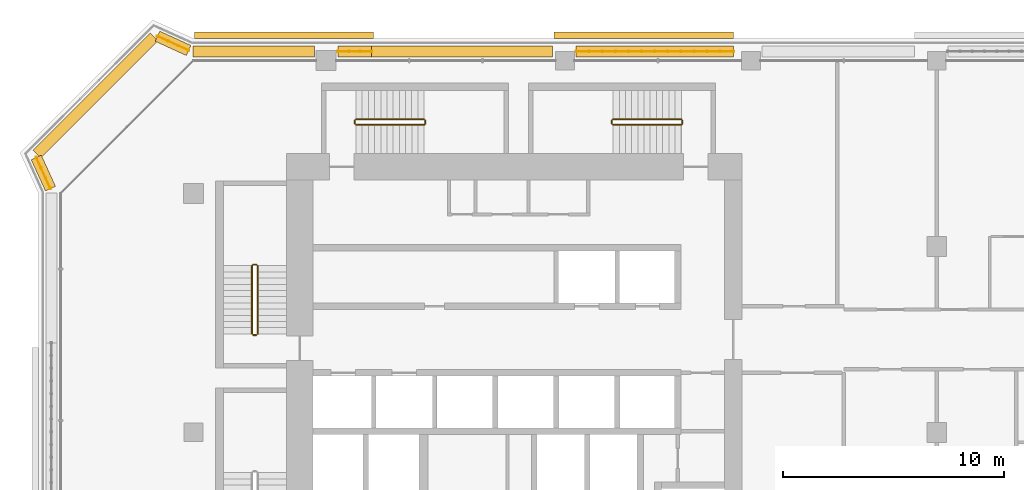
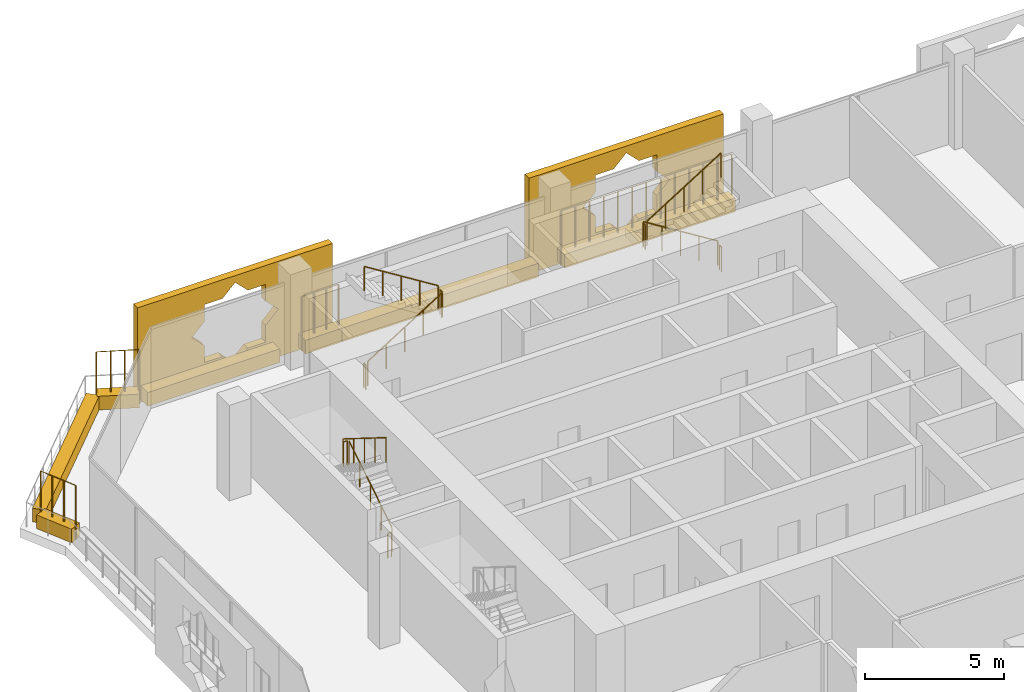
# One storey, part 19 of 21: 16 railings, 9 coverings.
"""IFC4 building model written with IfcOpenShell, lengths in metres."""

from ifc_helpers import new_model, si_unit, direction, frame, origin, origin_2d, place, context, subcontext, project, spatial, polyline, rectangle, circle, outline, extrude, material, material_profile, profile_set, type_object, element, save


model = new_model("IFC4")

# Units and contexts
model_context = context("Model", 3, precision=1e-05, world=origin(), true_north=direction((0.0, 1.0)))
body_context = subcontext(model_context, "Body", "Model", "MODEL_VIEW")
ifc_project = project(units=[si_unit("LENGTHUNIT", "METRE"), si_unit("AREAUNIT", "SQUARE_METRE"), si_unit("VOLUMEUNIT", "CUBIC_METRE"), si_unit("PLANEANGLEUNIT", "RADIAN"), si_unit("MASSUNIT", "GRAM", prefix="KILO")], contexts=[model_context])

# Site, building, storey
site_placement = place(None, origin())
site = spatial("IfcSite", under=ifc_project, at=site_placement, CompositionType="ELEMENT")
building_placement = place(site_placement, origin())
building = spatial("IfcBuilding", under=site, at=building_placement, Name="Kawkab Arch Medical Tower", CompositionType="ELEMENT")
storey_placement = place(building_placement, frame((0.0, 0.0, 264.199951171875)))
storey = spatial("IfcBuildingStorey", under=building, at=storey_placement, Name="L61", CompositionType="ELEMENT", Elevation=264.199951171875)

# Coverings
ifc_material_1 = material(Name="Bronze anodised aluminium mashrabiya panel, eight-point star pattern", Category="aluminium")
ifc_material_profile_1 = material_profile(ifc_material_1, outline(polyline([(-4.050048828125, -2.10009765625), (4.050048828125, -2.10009765625), (4.050048828125, 2.10009765625), (-4.050048828125, 2.10009765625), (-4.050048828125, -2.10009765625)]), holes=[polyline([(1.800048828125, 0.0), (1.272705078125, 0.527099609375), (1.272705078125, 1.272705078125), (0.527099609375, 1.272705078125), (0.0, 1.800048828125), (-0.527099609375, 1.272705078125), (-1.272705078125, 1.272705078125), (-1.272705078125, 0.527099609375), (-1.800048828125, 0.0), (-1.272705078125, -0.527099609375), (-1.272705078125, -1.272705078125), (-0.527099609375, -1.272705078125), (0.0, -1.800048828125), (0.527099609375, -1.272705078125), (1.272705078125, -1.272705078125), (1.272705078125, -0.527099609375), (1.800048828125, 0.0)])]), Name="Mashrabiya panel 8100x4200")
ifc_profile_set_1 = profile_set([ifc_material_profile_1], Name="Bronze anodised aluminium mashrabiya panel, eight-point star pattern")
covering_type_1 = type_object("IfcCoveringType", Name="Mashrabiya panel 8100 x 4200", PredefinedType="USERDEFINED", material=ifc_profile_set_1)
for number, where, z_axis, x_axis, name in (
    (1, (4.089599609375, 1.0, 1.699951171875), (0.0, 1.0, 0.0), (-1.0, 0.0, 0.0), "Mashrabiya panel L61.LOG-01-01.5"),
    (2, (20.3564453125, 1.0, 1.699951171875), (0.0, 1.0, 0.0), (-1.0, 0.0, 0.0), "Mashrabiya panel L61.LOG-01-01.6"),
):
    element("IfcCovering", number, at=place(storey_placement, frame(where, z_axis=z_axis, x_axis=x_axis)), inside=storey, type_object=covering_type_1, Name=name, ObjectType="SCREEN", PredefinedType="USERDEFINED", context=body_context, shape_type="SweptSolid", body=[
        extrude(outline(polyline([(-4.050048828125, -2.10009765625), (4.050048828125, -2.10009765625), (4.050048828125, 2.10009765625), (-4.050048828125, 2.10009765625), (-4.050048828125, -2.10009765625)]), holes=[polyline([(1.800048828125, 0.0), (1.272705078125, 0.527099609375), (1.272705078125, 1.272705078125), (0.527099609375, 1.272705078125), (0.0, 1.800048828125), (-0.527099609375, 1.272705078125), (-1.272705078125, 1.272705078125), (-1.272705078125, 0.527099609375), (-1.800048828125, 0.0), (-1.272705078125, -0.527099609375), (-1.272705078125, -1.272705078125), (-0.527099609375, -1.272705078125), (0.0, -1.800048828125), (0.527099609375, -1.272705078125), (1.272705078125, -1.272705078125), (1.272705078125, -0.527099609375), (1.800048828125, 0.0)])]), origin(), (0.0, 0.0, 1.0), 0.300048828125),
    ])
ifc_material_2 = material(Name="Planting soil in a precast trough", Category="concrete")
ifc_material_profile_2 = material_profile(ifc_material_2, rectangle(XDim=0.5, YDim=0.60009765625, at=origin_2d()), Name="Trough 500x600")
ifc_profile_set_2 = profile_set([ifc_material_profile_2], Name="Planting soil in a precast trough")
covering_type_2 = type_object("IfcCoveringType", Name="Planter trough 500 x 600", PredefinedType="USERDEFINED", material=ifc_profile_set_2)
covering_1_placement = place(storey_placement, frame((-6.4609375, -5.782958984375, 0.300048828125), z_axis=(-0.415363486165, 0.909655525109, 0.0), x_axis=(-0.909655525109, -0.415363486165, 0.0)))
element("IfcCovering", 3, at=covering_1_placement, inside=storey, type_object=covering_type_2, Name="Planter L61.LOG-01-01.13", ObjectType="PLANTER", PredefinedType="USERDEFINED", context=body_context, shape_type="SweptSolid", body=[
    extrude(rectangle(XDim=0.5, YDim=0.60009765625, at=origin_2d()), origin(), (0.0, 0.0, 1.0), 1.54345703125),
])
covering_2_placement = place(storey_placement, frame((-7.072998046875, -4.217041015625, 0.300048828125), z_axis=(0.707106781187, 0.707106781187, 0.0), x_axis=(-0.707106781187, 0.707106781187, 0.0)))
element("IfcCovering", 4, at=covering_2_placement, inside=storey, type_object=covering_type_2, Name="Planter L61.LOG-01-01.14", ObjectType="PLANTER", PredefinedType="USERDEFINED", context=body_context, shape_type="SweptSolid", body=[
    extrude(rectangle(XDim=0.5, YDim=0.60009765625, at=origin_2d()), origin(), (0.0, 0.0, 1.0), 7.481201171875),
])
covering_3_placement = place(storey_placement, frame((-1.62109375, 1.10205078125, 0.300048828125), z_axis=(0.909655525109, -0.415363486165, 0.0), x_axis=(0.415363486165, 0.909655525109, 0.0)))
element("IfcCovering", 5, at=covering_3_placement, inside=storey, type_object=covering_type_2, Name="Planter L61.LOG-01-01.15", ObjectType="PLANTER", PredefinedType="USERDEFINED", context=body_context, shape_type="SweptSolid", body=[
    extrude(rectangle(XDim=0.5, YDim=0.60009765625, at=origin_2d()), origin(), (0.0, 0.0, 1.0), 1.54345703125),
])
covering_4_placement = place(storey_placement, frame((-0.02587890625, 0.419921875, 0.300048828125), z_axis=(1.0, 0.0, 0.0), x_axis=(0.0, 1.0, 0.0)))
element("IfcCovering", 6, at=covering_4_placement, inside=storey, type_object=covering_type_2, Name="Planter L61.LOG-01-01.16", ObjectType="PLANTER", PredefinedType="USERDEFINED", context=body_context, shape_type="SweptSolid", body=[
    extrude(rectangle(XDim=0.5, YDim=0.60009765625, at=origin_2d()), origin(), (0.0, 0.0, 1.0), 5.495849609375),
])
covering_5_placement = place(storey_placement, frame((6.530029296875, 0.419921875, 0.300048828125), z_axis=(1.0, 0.0, 0.0), x_axis=(0.0, 1.0, 0.0)))
element("IfcCovering", 7, at=covering_5_placement, inside=storey, type_object=covering_type_2, Name="Planter L61.LOG-01-01.17", ObjectType="PLANTER", PredefinedType="USERDEFINED", context=body_context, shape_type="SweptSolid", body=[
    extrude(rectangle(XDim=0.5, YDim=0.60009765625, at=origin_2d()), origin(), (0.0, 0.0, 1.0), 1.52294921875),
])
covering_6_placement = place(storey_placement, frame((8.052978515625, 0.419921875, 0.300048828125), z_axis=(1.0, 0.0, 0.0), x_axis=(0.0, 1.0, 0.0)))
element("IfcCovering", 8, at=covering_6_placement, inside=storey, type_object=covering_type_2, Name="Planter L61.LOG-01-01.18", ObjectType="PLANTER", PredefinedType="USERDEFINED", context=body_context, shape_type="SweptSolid", body=[
    extrude(rectangle(XDim=0.5, YDim=0.60009765625, at=origin_2d()), origin(), (0.0, 0.0, 1.0), 8.178955078125),
])
covering_7_placement = place(storey_placement, frame((17.304931640625, 0.419921875, 0.300048828125), z_axis=(1.0, 0.0, 0.0), x_axis=(0.0, 1.0, 0.0)))
element("IfcCovering", 9, at=covering_7_placement, inside=storey, type_object=covering_type_2, Name="Planter L61.LOG-01-01.19", ObjectType="PLANTER", PredefinedType="USERDEFINED", context=body_context, shape_type="SweptSolid", body=[
    extrude(rectangle(XDim=0.5, YDim=0.60009765625, at=origin_2d()), origin(), (0.0, 0.0, 1.0), 7.10595703125),
])

# Railings
ifc_material_3 = material(Name="Bronze anodised aluminium trellis for climbing plants", Category="aluminium")
railing_type_1 = type_object("IfcRailingType", Name="Planting trellis 2400", PredefinedType="USERDEFINED", material=ifc_material_3)
railing_1_placement = place(storey_placement, frame((-6.4609375, -5.782958984375, 0.0)))
element("IfcRailing", 10, at=railing_1_placement, inside=storey, type_object=railing_type_1, Name="Planting trellis L61.LOG-01-01.13", ObjectType="TRELLIS", PredefinedType="USERDEFINED", context=body_context, shape_type="SweptSolid", body=[
    extrude(circle(Radius=0.01513671875, at=origin_2d()), frame((0.0, 0.0, 2.384765625), z_axis=(-0.415363486165, 0.909655525109, 0.0), x_axis=(-0.909655525109, -0.415363486165, 0.0)), (0.0, 0.0, 1.0), 1.54345703125),
    extrude(circle(Radius=0.030029296875, at=origin_2d()), origin(), (0.0, 0.0, 1.0), 2.369873046875),
    extrude(circle(Radius=0.030029296875, at=origin_2d()), frame((-0.213623046875, 0.468017578125, 0.0)), (0.0, 0.0, 1.0), 2.369873046875),
    extrude(circle(Radius=0.030029296875, at=origin_2d()), frame((-0.427490234375, 0.93603515625, 0.0)), (0.0, 0.0, 1.0), 2.369873046875),
    extrude(circle(Radius=0.030029296875, at=origin_2d()), frame((-0.64111328125, 1.404052734375, 0.0)), (0.0, 0.0, 1.0), 2.369873046875),
])
railing_2_placement = place(storey_placement, frame((-1.62109375, 1.10205078125, 0.0)))
element("IfcRailing", 11, at=railing_2_placement, inside=storey, type_object=railing_type_1, Name="Planting trellis L61.LOG-01-01.15", ObjectType="TRELLIS", PredefinedType="USERDEFINED", context=body_context, shape_type="SweptSolid", body=[
    extrude(circle(Radius=0.01513671875, at=origin_2d()), frame((0.0, 0.0, 2.384765625), z_axis=(0.909655525109, -0.415363486165, 0.0), x_axis=(0.415363486165, 0.909655525109, 0.0)), (0.0, 0.0, 1.0), 1.54345703125),
    extrude(circle(Radius=0.030029296875, at=origin_2d()), origin(), (0.0, 0.0, 1.0), 2.369873046875),
    extrude(circle(Radius=0.030029296875, at=origin_2d()), frame((0.468017578125, -0.213623046875, 0.0)), (0.0, 0.0, 1.0), 2.369873046875),
    extrude(circle(Radius=0.030029296875, at=origin_2d()), frame((0.93603515625, -0.427490234375, 0.0)), (0.0, 0.0, 1.0), 2.369873046875),
    extrude(circle(Radius=0.030029296875, at=origin_2d()), frame((1.404052734375, -0.64111328125, 0.0)), (0.0, 0.0, 1.0), 2.369873046875),
])
railing_3_placement = place(storey_placement, frame((6.530029296875, 0.419921875, 0.0)))
element("IfcRailing", 12, at=railing_3_placement, inside=storey, type_object=railing_type_1, Name="Planting trellis L61.LOG-01-01.17", ObjectType="TRELLIS", PredefinedType="USERDEFINED", context=body_context, shape_type="SweptSolid", body=[
    extrude(circle(Radius=0.01513671875, at=origin_2d()), frame((0.0, 0.0, 2.384765625), z_axis=(1.0, 0.0, 0.0), x_axis=(0.0, 1.0, 0.0)), (0.0, 0.0, 1.0), 1.52294921875),
    extrude(circle(Radius=0.030029296875, at=origin_2d()), origin(), (0.0, 0.0, 1.0), 2.369873046875),
    extrude(circle(Radius=0.030029296875, at=origin_2d()), frame((0.507568359375, 0.0, 0.0)), (0.0, 0.0, 1.0), 2.369873046875),
    extrude(circle(Radius=0.030029296875, at=origin_2d()), frame((1.015380859375, 0.0, 0.0)), (0.0, 0.0, 1.0), 2.369873046875),
    extrude(circle(Radius=0.030029296875, at=origin_2d()), frame((1.52294921875, 0.0, 0.0)), (0.0, 0.0, 1.0), 2.369873046875),
])
railing_4_placement = place(storey_placement, frame((17.304931640625, 0.419921875, 0.0)))
element("IfcRailing", 13, at=railing_4_placement, inside=storey, type_object=railing_type_1, Name="Planting trellis L61.LOG-01-01.19", ObjectType="TRELLIS", PredefinedType="USERDEFINED", context=body_context, shape_type="SweptSolid", body=[
    extrude(circle(Radius=0.01513671875, at=origin_2d()), frame((0.0, 0.0, 2.384765625), z_axis=(1.0, 0.0, 0.0), x_axis=(0.0, 1.0, 0.0)), (0.0, 0.0, 1.0), 7.10595703125),
    extrude(circle(Radius=0.030029296875, at=origin_2d()), origin(), (0.0, 0.0, 1.0), 2.369873046875),
    extrude(circle(Radius=0.030029296875, at=origin_2d()), frame((0.59228515625, 0.0, 0.0)), (0.0, 0.0, 1.0), 2.369873046875),
    extrude(circle(Radius=0.030029296875, at=origin_2d()), frame((1.184326171875, 0.0, 0.0)), (0.0, 0.0, 1.0), 2.369873046875),
    extrude(circle(Radius=0.030029296875, at=origin_2d()), frame((1.7763671875, 0.0, 0.0)), (0.0, 0.0, 1.0), 2.369873046875),
    extrude(circle(Radius=0.030029296875, at=origin_2d()), frame((2.36865234375, 0.0, 0.0)), (0.0, 0.0, 1.0), 2.369873046875),
    extrude(circle(Radius=0.030029296875, at=origin_2d()), frame((2.9609375, 0.0, 0.0)), (0.0, 0.0, 1.0), 2.369873046875),
    extrude(circle(Radius=0.030029296875, at=origin_2d()), frame((3.552978515625, 0.0, 0.0)), (0.0, 0.0, 1.0), 2.369873046875),
    extrude(circle(Radius=0.030029296875, at=origin_2d()), frame((4.14501953125, 0.0, 0.0)), (0.0, 0.0, 1.0), 2.369873046875),
    extrude(circle(Radius=0.030029296875, at=origin_2d()), frame((4.7373046875, 0.0, 0.0)), (0.0, 0.0, 1.0), 2.369873046875),
    extrude(circle(Radius=0.030029296875, at=origin_2d()), frame((5.32958984375, 0.0, 0.0)), (0.0, 0.0, 1.0), 2.369873046875),
    extrude(circle(Radius=0.030029296875, at=origin_2d()), frame((5.921630859375, 0.0, 0.0)), (0.0, 0.0, 1.0), 2.369873046875),
    extrude(circle(Radius=0.030029296875, at=origin_2d()), frame((6.513671875, 0.0, 0.0)), (0.0, 0.0, 1.0), 2.369873046875),
    extrude(circle(Radius=0.030029296875, at=origin_2d()), frame((7.10595703125, 0.0, 0.0)), (0.0, 0.0, 1.0), 2.369873046875),
])
ifc_material_4 = material(Name="Stainless steel", Category="steel")
railing_type_2 = type_object("IfcRailingType", Name="Stair guard 1100", PredefinedType="GUARDRAIL", material=ifc_material_4)
railing_5_placement = place(storey_placement, frame((2.89990234375, -12.35009765625, 0.175048828125)))
element("IfcRailing", 14, at=railing_5_placement, inside=storey, type_object=railing_type_2, Name="L61 ST1 stair guard 1", PredefinedType="GUARDRAIL", context=body_context, shape_type="SweptSolid", body=[
    extrude(circle(Radius=0.02392578125, at=origin_2d()), frame((0.0, 0.0, 1.076171875), z_axis=(0.0, 0.847998304005, 0.529998940003), x_axis=(-1.0, 0.0, 0.0)), (0.0, 0.0, 1.0), 3.632080078125),
    extrude(circle(Radius=0.02099609375, at=origin_2d()), origin(), (0.0, 0.0, 1.0), 1.052001953125),
    extrude(circle(Radius=0.02099609375, at=origin_2d()), frame((0.0, 0.77001953125, 0.481201171875)), (0.0, 0.0, 1.0), 1.052001953125),
    extrude(circle(Radius=0.02099609375, at=origin_2d()), frame((0.0, 1.5400390625, 0.96240234375)), (0.0, 0.0, 1.0), 1.052001953125),
    extrude(circle(Radius=0.02099609375, at=origin_2d()), frame((0.0, 2.31005859375, 1.44384765625)), (0.0, 0.0, 1.0), 1.052001953125),
    extrude(circle(Radius=0.02099609375, at=origin_2d()), frame((0.0, 3.080078125, 1.925048828125)), (0.0, 0.0, 1.0), 1.052001953125),
])
railing_6_placement = place(storey_placement, frame((2.85009765625, -9.219970703125, 2.10009765625)))
element("IfcRailing", 15, at=railing_6_placement, inside=storey, type_object=railing_type_2, Name="L61 ST1 stair guard 2", PredefinedType="GUARDRAIL", context=body_context, shape_type="SweptSolid", body=[
    extrude(circle(Radius=0.02392578125, at=origin_2d()), frame((0.0, 0.0, 1.076171875), z_axis=(-1.0, 0.0, 0.0), x_axis=(0.0, -1.0, 0.0)), (0.0, 0.0, 1.0), 0.150146484375),
    extrude(circle(Radius=0.02099609375, at=origin_2d()), origin(), (0.0, 0.0, 1.0), 1.052001953125),
    extrude(circle(Radius=0.02099609375, at=origin_2d()), frame((-0.150146484375, 0.0, 0.0)), (0.0, 0.0, 1.0), 1.052001953125),
])
railing_7_placement = place(storey_placement, frame((2.64990234375, -9.27001953125, 2.275146484375)))
element("IfcRailing", 16, at=railing_7_placement, inside=storey, type_object=railing_type_2, Name="L61 ST1 stair guard 3", PredefinedType="GUARDRAIL", context=body_context, shape_type="SweptSolid", body=[
    extrude(circle(Radius=0.02392578125, at=origin_2d()), frame((0.0, 0.0, 1.076171875), z_axis=(0.0, -0.848028513186, 0.529950602248), x_axis=(1.0, 0.0, 0.0)), (0.0, 0.0, 1.0), 3.632080078125),
    extrude(circle(Radius=0.02099609375, at=origin_2d()), origin(), (0.0, 0.0, 1.0), 1.052001953125),
    extrude(circle(Radius=0.02099609375, at=origin_2d()), frame((0.0, -0.77001953125, 0.481201171875)), (0.0, 0.0, 1.0), 1.052001953125),
    extrude(circle(Radius=0.02099609375, at=origin_2d()), frame((0.0, -1.5400390625, 0.96240234375)), (0.0, 0.0, 1.0), 1.052001953125),
    extrude(circle(Radius=0.02099609375, at=origin_2d()), frame((0.0, -2.31005859375, 1.443603515625)), (0.0, 0.0, 1.0), 1.052001953125),
    extrude(circle(Radius=0.02099609375, at=origin_2d()), frame((0.0, -3.080078125, 1.9248046875)), (0.0, 0.0, 1.0), 1.052001953125),
])
railing_8_placement = place(storey_placement, frame((2.85009765625, -12.39990234375, 0.0)))
element("IfcRailing", 17, at=railing_8_placement, inside=storey, type_object=railing_type_2, Name="L61 ST1 stair guard 4", PredefinedType="GUARDRAIL", context=body_context, shape_type="SweptSolid", body=[
    extrude(circle(Radius=0.02392578125, at=origin_2d()), frame((0.0, 0.0, 1.076171875), z_axis=(-1.0, 0.0, 0.0), x_axis=(0.0, -1.0, 0.0)), (0.0, 0.0, 1.0), 0.150146484375),
    extrude(circle(Radius=0.02099609375, at=origin_2d()), origin(), (0.0, 0.0, 1.0), 1.052001953125),
    extrude(circle(Radius=0.02099609375, at=origin_2d()), frame((-0.150146484375, 0.0, 0.0)), (0.0, 0.0, 1.0), 1.052001953125),
])
railing_9_placement = place(storey_placement, frame((7.35009765625, -2.89990234375, 0.175048828125)))
element("IfcRailing", 18, at=railing_9_placement, inside=storey, type_object=railing_type_2, Name="L61 ST3 stair guard 1", PredefinedType="GUARDRAIL", context=body_context, shape_type="SweptSolid", body=[
    extrude(circle(Radius=0.02392578125, at=origin_2d()), frame((0.0, 0.0, 1.076171875), z_axis=(0.847979421464, 0.0, 0.530029150871), x_axis=(0.0, 1.0, 0.0)), (0.0, 0.0, 1.0), 3.632080078125),
    extrude(circle(Radius=0.02099609375, at=origin_2d()), origin(), (0.0, 0.0, 1.0), 1.052001953125),
    extrude(circle(Radius=0.02099609375, at=origin_2d()), frame((0.77001953125, 0.0, 0.481201171875)), (0.0, 0.0, 1.0), 1.052001953125),
    extrude(circle(Radius=0.02099609375, at=origin_2d()), frame((1.5400390625, 0.0, 0.96240234375)), (0.0, 0.0, 1.0), 1.052001953125),
    extrude(circle(Radius=0.02099609375, at=origin_2d()), frame((2.309814453125, 0.0, 1.44384765625)), (0.0, 0.0, 1.0), 1.052001953125),
    extrude(circle(Radius=0.02099609375, at=origin_2d()), frame((3.079833984375, 0.0, 1.925048828125)), (0.0, 0.0, 1.0), 1.052001953125),
])
railing_10_placement = place(storey_placement, frame((10.47998046875, -2.85009765625, 2.10009765625)))
element("IfcRailing", 19, at=railing_10_placement, inside=storey, type_object=railing_type_2, Name="L61 ST3 stair guard 2", PredefinedType="GUARDRAIL", context=body_context, shape_type="SweptSolid", body=[
    extrude(circle(Radius=0.02392578125, at=origin_2d()), frame((0.0, 0.0, 1.076171875), z_axis=(0.0, 1.0, 0.0), x_axis=(-1.0, 0.0, 0.0)), (0.0, 0.0, 1.0), 0.150146484375),
    extrude(circle(Radius=0.02099609375, at=origin_2d()), origin(), (0.0, 0.0, 1.0), 1.052001953125),
    extrude(circle(Radius=0.02099609375, at=origin_2d()), frame((0.0, 0.150146484375, 0.0)), (0.0, 0.0, 1.0), 1.052001953125),
])
railing_11_placement = place(storey_placement, frame((10.429931640625, -2.64990234375, 2.275146484375)))
element("IfcRailing", 20, at=railing_11_placement, inside=storey, type_object=railing_type_2, Name="L61 ST3 stair guard 3", PredefinedType="GUARDRAIL", context=body_context, shape_type="SweptSolid", body=[
    extrude(circle(Radius=0.02392578125, at=origin_2d()), frame((0.0, 0.0, 1.076171875), z_axis=(-0.848009633417, 0.0, 0.529980812513), x_axis=(0.0, -1.0, 0.0)), (0.0, 0.0, 1.0), 3.6318359375),
    extrude(circle(Radius=0.02099609375, at=origin_2d()), origin(), (0.0, 0.0, 1.0), 1.052001953125),
    extrude(circle(Radius=0.02099609375, at=origin_2d()), frame((-0.77001953125, 0.0, 0.481201171875)), (0.0, 0.0, 1.0), 1.052001953125),
    extrude(circle(Radius=0.02099609375, at=origin_2d()), frame((-1.5400390625, 0.0, 0.96240234375)), (0.0, 0.0, 1.0), 1.052001953125),
    extrude(circle(Radius=0.02099609375, at=origin_2d()), frame((-2.309814453125, 0.0, 1.443603515625)), (0.0, 0.0, 1.0), 1.052001953125),
    extrude(circle(Radius=0.02099609375, at=origin_2d()), frame((-3.079833984375, 0.0, 1.9248046875)), (0.0, 0.0, 1.0), 1.052001953125),
])
railing_12_placement = place(storey_placement, frame((7.300048828125, -2.85009765625, 0.0)))
element("IfcRailing", 21, at=railing_12_placement, inside=storey, type_object=railing_type_2, Name="L61 ST3 stair guard 4", PredefinedType="GUARDRAIL", context=body_context, shape_type="SweptSolid", body=[
    extrude(circle(Radius=0.02392578125, at=origin_2d()), frame((0.0, 0.0, 1.076171875), z_axis=(0.0, 1.0, 0.0), x_axis=(-1.0, 0.0, 0.0)), (0.0, 0.0, 1.0), 0.150146484375),
    extrude(circle(Radius=0.02099609375, at=origin_2d()), origin(), (0.0, 0.0, 1.0), 1.052001953125),
    extrude(circle(Radius=0.02099609375, at=origin_2d()), frame((0.0, 0.150146484375, 0.0)), (0.0, 0.0, 1.0), 1.052001953125),
])
railing_13_placement = place(storey_placement, frame((22.050048828125, -2.64990234375, 0.175048828125)))
element("IfcRailing", 22, at=railing_13_placement, inside=storey, type_object=railing_type_2, Name="L61 ST4 stair guard 1", PredefinedType="GUARDRAIL", context=body_context, shape_type="SweptSolid", body=[
    extrude(circle(Radius=0.02392578125, at=origin_2d()), frame((0.0, 0.0, 1.076171875), z_axis=(-0.847998304005, 0.0, 0.529998940003), x_axis=(0.0, -1.0, 0.0)), (0.0, 0.0, 1.0), 3.632080078125),
    extrude(circle(Radius=0.02099609375, at=origin_2d()), origin(), (0.0, 0.0, 1.0), 1.052001953125),
    extrude(circle(Radius=0.02099609375, at=origin_2d()), frame((-0.77001953125, 0.0, 0.481201171875)), (0.0, 0.0, 1.0), 1.052001953125),
    extrude(circle(Radius=0.02099609375, at=origin_2d()), frame((-1.5400390625, 0.0, 0.96240234375)), (0.0, 0.0, 1.0), 1.052001953125),
    extrude(circle(Radius=0.02099609375, at=origin_2d()), frame((-2.31005859375, 0.0, 1.44384765625)), (0.0, 0.0, 1.0), 1.052001953125),
    extrude(circle(Radius=0.02099609375, at=origin_2d()), frame((-3.080078125, 0.0, 1.925048828125)), (0.0, 0.0, 1.0), 1.052001953125),
])
railing_14_placement = place(storey_placement, frame((18.919921875, -2.699951171875, 2.10009765625)))
element("IfcRailing", 23, at=railing_14_placement, inside=storey, type_object=railing_type_2, Name="L61 ST4 stair guard 2", PredefinedType="GUARDRAIL", context=body_context, shape_type="SweptSolid", body=[
    extrude(circle(Radius=0.02392578125, at=origin_2d()), frame((0.0, 0.0, 1.076171875), z_axis=(0.0, -1.0, 0.0), x_axis=(1.0, 0.0, 0.0)), (0.0, 0.0, 1.0), 0.150146484375),
    extrude(circle(Radius=0.02099609375, at=origin_2d()), origin(), (0.0, 0.0, 1.0), 1.052001953125),
    extrude(circle(Radius=0.02099609375, at=origin_2d()), frame((0.0, -0.150146484375, 0.0)), (0.0, 0.0, 1.0), 1.052001953125),
])
railing_15_placement = place(storey_placement, frame((18.969970703125, -2.89990234375, 2.275146484375)))
element("IfcRailing", 24, at=railing_15_placement, inside=storey, type_object=railing_type_2, Name="L61 ST4 stair guard 3", PredefinedType="GUARDRAIL", context=body_context, shape_type="SweptSolid", body=[
    extrude(circle(Radius=0.02392578125, at=origin_2d()), frame((0.0, 0.0, 1.076171875), z_axis=(0.848028513186, 0.0, 0.529950602248), x_axis=(0.0, 1.0, 0.0)), (0.0, 0.0, 1.0), 3.632080078125),
    extrude(circle(Radius=0.02099609375, at=origin_2d()), origin(), (0.0, 0.0, 1.0), 1.052001953125),
    extrude(circle(Radius=0.02099609375, at=origin_2d()), frame((0.77001953125, 0.0, 0.481201171875)), (0.0, 0.0, 1.0), 1.052001953125),
    extrude(circle(Radius=0.02099609375, at=origin_2d()), frame((1.5400390625, 0.0, 0.96240234375)), (0.0, 0.0, 1.0), 1.052001953125),
    extrude(circle(Radius=0.02099609375, at=origin_2d()), frame((2.31005859375, 0.0, 1.443603515625)), (0.0, 0.0, 1.0), 1.052001953125),
    extrude(circle(Radius=0.02099609375, at=origin_2d()), frame((3.080078125, 0.0, 1.9248046875)), (0.0, 0.0, 1.0), 1.052001953125),
])
railing_16_placement = place(storey_placement, frame((22.10009765625, -2.699951171875, 0.0)))
element("IfcRailing", 25, at=railing_16_placement, inside=storey, type_object=railing_type_2, Name="L61 ST4 stair guard 4", PredefinedType="GUARDRAIL", context=body_context, shape_type="SweptSolid", body=[
    extrude(circle(Radius=0.02392578125, at=origin_2d()), frame((0.0, 0.0, 1.076171875), z_axis=(0.0, -1.0, 0.0), x_axis=(1.0, 0.0, 0.0)), (0.0, 0.0, 1.0), 0.150146484375),
    extrude(circle(Radius=0.02099609375, at=origin_2d()), origin(), (0.0, 0.0, 1.0), 1.052001953125),
    extrude(circle(Radius=0.02099609375, at=origin_2d()), frame((0.0, -0.150146484375, 0.0)), (0.0, 0.0, 1.0), 1.052001953125),
])

save(model, "model.ifc")
